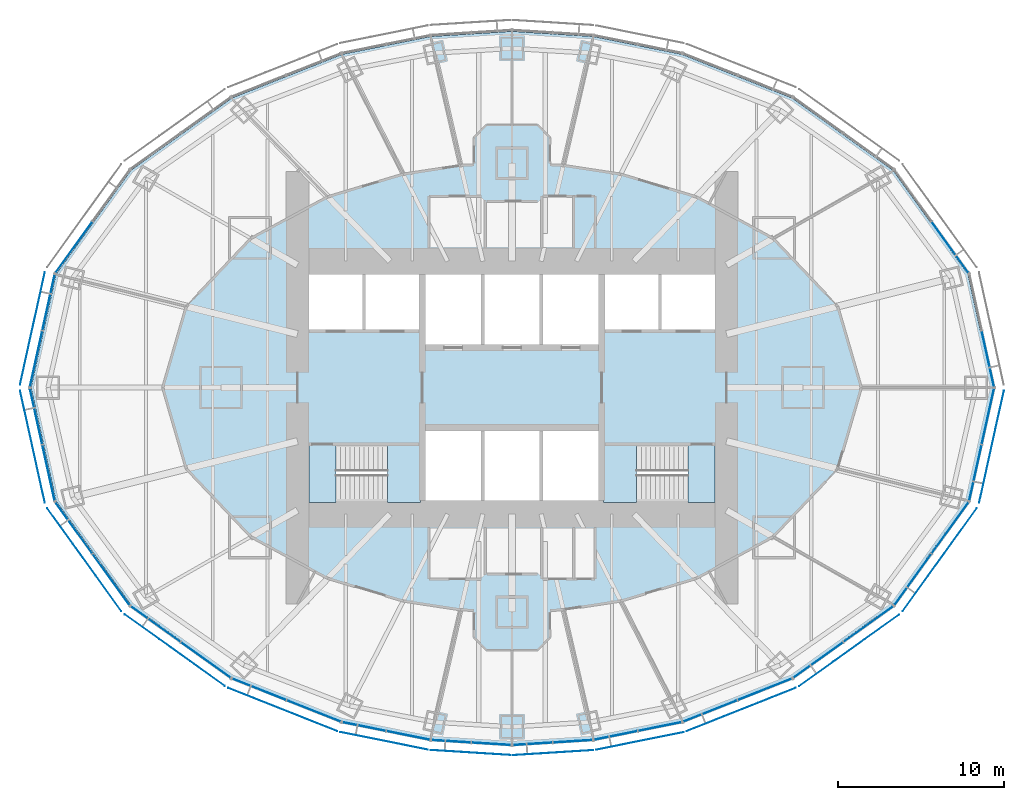
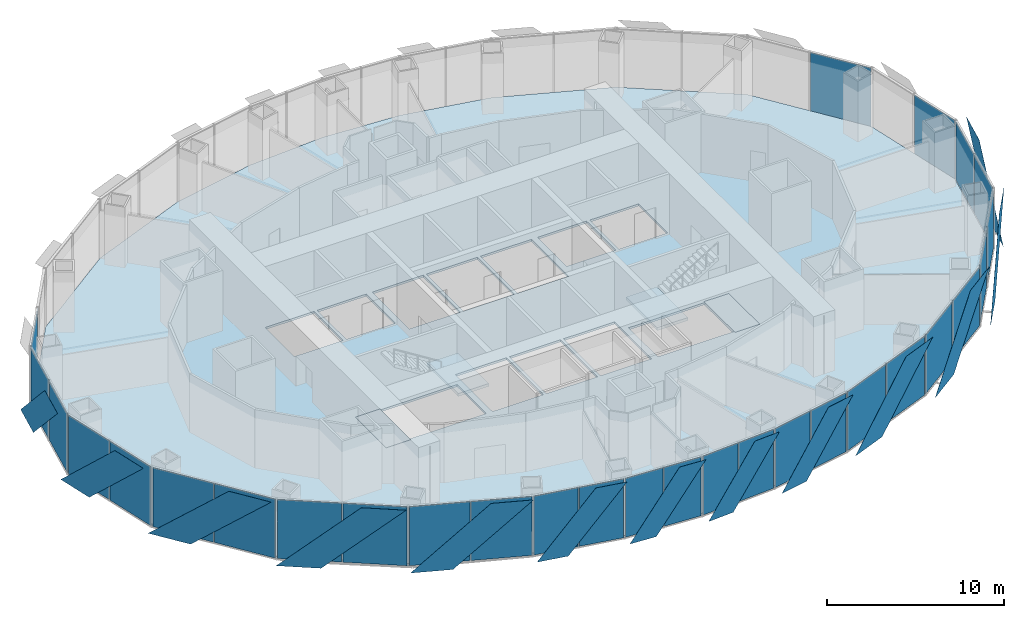
# One storey, part 9 of 18: 42 plates, 5 slabs, 18 elements without a shape of their own.
"""IFC4 building model written with IfcOpenShell, lengths in metres."""

from ifc_helpers import new_model, si_unit, direction, frame, origin, origin_2d, place, context, subcontext, project, spatial, polyline, rectangle, outline, extrude, material, layer, layer_set, type_object, element, aggregate, save


model = new_model("IFC4")

# Units and contexts
model_context = context("Model", 3, precision=1e-05, world=origin(), true_north=direction((0.0, 1.0)))
body_context = subcontext(model_context, "Body", "Model", "MODEL_VIEW")
ifc_project = project(units=[si_unit("LENGTHUNIT", "METRE"), si_unit("AREAUNIT", "SQUARE_METRE"), si_unit("VOLUMEUNIT", "CUBIC_METRE"), si_unit("PLANEANGLEUNIT", "RADIAN"), si_unit("MASSUNIT", "GRAM", prefix="KILO")], contexts=[model_context])

# Site, building, storey
site_placement = place(None, origin())
site = spatial("IfcSite", under=ifc_project, at=site_placement, CompositionType="ELEMENT")
building_placement = place(site_placement, origin())
building = spatial("IfcBuilding", under=site, at=building_placement, Name="Lantaw Convention Tower", CompositionType="ELEMENT")
storey_placement = place(building_placement, frame((0.0, 0.0, 142.60009765625)))
storey = spatial("IfcBuildingStorey", under=building, at=storey_placement, Name="L33", CompositionType="ELEMENT", Elevation=142.60009765625)

# Curtain wall, plate
ifc_material_1 = material(Name="Aluminium framed curtain wall", Category="aluminium")
curtain_wall_type = type_object("IfcCurtainWallType", Name="Office curtain wall low rise, pale aluminium", PredefinedType="USERDEFINED", material=ifc_material_1)
curtain_wall_1_placement = place(storey_placement, origin())
curtain_wall_1 = element("IfcCurtainWall", 1, at=curtain_wall_1_placement, inside=storey, type_object=curtain_wall_type, Name="Office curtain wall low rise, pale aluminium L33", ObjectType="UNITISED CURTAIN WALL", PredefinedType="USERDEFINED")
ifc_material_2 = material(Name="Clear insulating glass", Category="glass")
ifc_layer_1 = layer(ifc_material_2, 0.028076171875)
ifc_layer_set_1 = layer_set([ifc_layer_1], Name="CW-O1 panel 28")
plate_type_1 = type_object("IfcPlateType", Name="CW-O1 panel 28", PredefinedType="CURTAIN_PANEL", material=ifc_layer_set_1)
plate_1_placement = place(storey_placement, frame((28.618408203125, 1.729248046875, -0.0849609375), z_axis=(0.0, 0.0, 1.0), x_axis=(-0.215546166174, 0.9764936509, 0.0)))
plate_1 = element("IfcPlate", 2, at=plate_1_placement, type_object=plate_type_1, Name="CW-O1 panel 1.1", PredefinedType="CURTAIN_PANEL", context=body_context, shape_type="SweptSolid", body=[
    extrude(rectangle(XDim=3.41162109375, YDim=0.028076171875, at=origin_2d()), origin(), (0.0, 0.0, 1.0), 4.070068359375),
])
aggregate(curtain_wall_1, [plate_1])

curtain_wall_2_placement = place(storey_placement, origin())
curtain_wall_2 = element("IfcCurtainWall", 3, at=curtain_wall_2_placement, inside=storey, type_object=curtain_wall_type, Name="Office curtain wall low rise, pale aluminium L33", ObjectType="UNITISED CURTAIN WALL", PredefinedType="USERDEFINED")
plate_2_placement = place(storey_placement, frame((26.34814453125, 8.4345703125, -0.0849609375), z_axis=(0.0, 0.0, 1.0), x_axis=(-0.584512597221, 0.811384633629, 0.0)))
plate_2 = element("IfcPlate", 4, at=plate_2_placement, type_object=plate_type_1, Name="CW-O1 panel 1.1", PredefinedType="CURTAIN_PANEL", context=body_context, shape_type="SweptSolid", body=[
    extrude(rectangle(XDim=3.767333984375, YDim=0.028076171875, at=origin_2d()), origin(), (0.0, 0.0, 1.0), 4.070068359375),
])
aggregate(curtain_wall_2, [plate_2])

curtain_wall_3_placement = place(storey_placement, origin())
curtain_wall_3 = element("IfcCurtainWall", 5, at=curtain_wall_3_placement, inside=storey, type_object=curtain_wall_type, Name="Office curtain wall low rise, pale aluminium L33", ObjectType="UNITISED CURTAIN WALL", PredefinedType="USERDEFINED")
plate_3_placement = place(storey_placement, frame((-26.34814453125, 8.4345703125, -0.0849609375), z_axis=(0.0, 0.0, 1.0), x_axis=(-0.584512597221, -0.811384633629, 0.0)))
plate_3 = element("IfcPlate", 6, at=plate_3_placement, type_object=plate_type_1, Name="CW-O1 panel 2.1", PredefinedType="CURTAIN_PANEL", context=body_context, shape_type="SweptSolid", body=[
    extrude(rectangle(XDim=3.767333984375, YDim=0.028076171875, at=origin_2d()), origin(), (0.0, 0.0, 1.0), 4.070068359375),
])
aggregate(curtain_wall_3, [plate_3])

# Curtain wall, plates
curtain_wall_4_placement = place(storey_placement, origin())
curtain_wall_4 = element("IfcCurtainWall", 7, at=curtain_wall_4_placement, inside=storey, type_object=curtain_wall_type, Name="Office curtain wall low rise, pale aluminium L33", ObjectType="UNITISED CURTAIN WALL", PredefinedType="USERDEFINED")
plate_4_placement = place(storey_placement, frame((-27.868896484375, 5.1240234375, -0.0849609375), z_axis=(0.0, 0.0, 1.0), x_axis=(-0.215546166174, -0.9764936509, 0.0)))
plate_4 = element("IfcPlate", 8, at=plate_4_placement, type_object=plate_type_1, Name="CW-O1 panel 1.1", PredefinedType="CURTAIN_PANEL", context=body_context, shape_type="SweptSolid", body=[
    extrude(rectangle(XDim=3.41162109375, YDim=0.028076171875, at=origin_2d()), origin(), (0.0, 0.0, 1.0), 4.070068359375),
])
plate_5_placement = place(storey_placement, frame((-28.618408203125, 1.729248046875, -0.0849609375), z_axis=(0.0, 0.0, 1.0), x_axis=(-0.215546166174, -0.9764936509, 0.0)))
plate_5 = element("IfcPlate", 9, at=plate_5_placement, type_object=plate_type_1, Name="CW-O1 panel 2.1", PredefinedType="CURTAIN_PANEL", context=body_context, shape_type="SweptSolid", body=[
    extrude(rectangle(XDim=3.41162109375, YDim=0.028076171875, at=origin_2d()), origin(), (0.0, 0.0, 1.0), 4.070068359375),
])
aggregate(curtain_wall_4, [plate_4, plate_5])

curtain_wall_5_placement = place(storey_placement, origin())
curtain_wall_5 = element("IfcCurtainWall", 10, at=curtain_wall_5_placement, inside=storey, type_object=curtain_wall_type, Name="Office curtain wall low rise, pale aluminium L33", ObjectType="UNITISED CURTAIN WALL", PredefinedType="USERDEFINED")
plate_6_placement = place(storey_placement, frame((-28.618408203125, -1.729248046875, -0.0849609375), z_axis=(0.0, 0.0, 1.0), x_axis=(0.215546166174, -0.9764936509, 0.0)))
plate_6 = element("IfcPlate", 11, at=plate_6_placement, type_object=plate_type_1, Name="CW-O1 panel 1.1", PredefinedType="CURTAIN_PANEL", context=body_context, shape_type="SweptSolid", body=[
    extrude(rectangle(XDim=3.41162109375, YDim=0.028076171875, at=origin_2d()), origin(), (0.0, 0.0, 1.0), 4.070068359375),
])
plate_7_placement = place(storey_placement, frame((-27.868896484375, -5.1240234375, -0.0849609375), z_axis=(0.0, 0.0, 1.0), x_axis=(0.215546166174, -0.9764936509, 0.0)))
plate_7 = element("IfcPlate", 12, at=plate_7_placement, type_object=plate_type_1, Name="CW-O1 panel 2.1", PredefinedType="CURTAIN_PANEL", context=body_context, shape_type="SweptSolid", body=[
    extrude(rectangle(XDim=3.41162109375, YDim=0.028076171875, at=origin_2d()), origin(), (0.0, 0.0, 1.0), 4.070068359375),
])
aggregate(curtain_wall_5, [plate_6, plate_7])

curtain_wall_6_placement = place(storey_placement, origin())
curtain_wall_6 = element("IfcCurtainWall", 13, at=curtain_wall_6_placement, inside=storey, type_object=curtain_wall_type, Name="Office curtain wall low rise, pale aluminium L33", ObjectType="UNITISED CURTAIN WALL", PredefinedType="USERDEFINED")
plate_8_placement = place(storey_placement, frame((-26.34814453125, -8.4345703125, -0.0849609375), z_axis=(0.0, 0.0, 1.0), x_axis=(0.584512597221, -0.811384633629, 0.0)))
plate_8 = element("IfcPlate", 14, at=plate_8_placement, type_object=plate_type_1, Name="CW-O1 panel 1.1", PredefinedType="CURTAIN_PANEL", context=body_context, shape_type="SweptSolid", body=[
    extrude(rectangle(XDim=3.767333984375, YDim=0.028076171875, at=origin_2d()), origin(), (0.0, 0.0, 1.0), 4.070068359375),
])
plate_9_placement = place(storey_placement, frame((-24.108154296875, -11.5439453125, -0.0849609375), z_axis=(0.0, 0.0, 1.0), x_axis=(0.584512597221, -0.811384633629, 0.0)))
plate_9 = element("IfcPlate", 15, at=plate_9_placement, type_object=plate_type_1, Name="CW-O1 panel 2.1", PredefinedType="CURTAIN_PANEL", context=body_context, shape_type="SweptSolid", body=[
    extrude(rectangle(XDim=3.767333984375, YDim=0.028076171875, at=origin_2d()), origin(), (0.0, 0.0, 1.0), 4.070068359375),
])
aggregate(curtain_wall_6, [plate_8, plate_9])

curtain_wall_7_placement = place(storey_placement, origin())
curtain_wall_7 = element("IfcCurtainWall", 16, at=curtain_wall_7_placement, inside=storey, type_object=curtain_wall_type, Name="Office curtain wall low rise, pale aluminium L33", ObjectType="UNITISED CURTAIN WALL", PredefinedType="USERDEFINED")
plate_10_placement = place(storey_placement, frame((-21.43408203125, -14.2236328125, -0.0849609375), z_axis=(0.0, 0.0, 1.0), x_axis=(0.813208325995, -0.581972695693, 0.0)))
plate_10 = element("IfcPlate", 17, at=plate_10_placement, type_object=plate_type_1, Name="CW-O1 panel 1.1", PredefinedType="CURTAIN_PANEL", context=body_context, shape_type="SweptSolid", body=[
    extrude(rectangle(XDim=3.645263671875, YDim=0.028076171875, at=origin_2d()), origin(), (0.0, 0.0, 1.0), 4.070068359375),
])
plate_11_placement = place(storey_placement, frame((-18.416748046875, -16.383056640625, -0.0849609375), z_axis=(0.0, 0.0, 1.0), x_axis=(0.813208325995, -0.581972695693, 0.0)))
plate_11 = element("IfcPlate", 18, at=plate_11_placement, type_object=plate_type_1, Name="CW-O1 panel 2.1", PredefinedType="CURTAIN_PANEL", context=body_context, shape_type="SweptSolid", body=[
    extrude(rectangle(XDim=3.645263671875, YDim=0.028076171875, at=origin_2d()), origin(), (0.0, 0.0, 1.0), 4.070068359375),
])
aggregate(curtain_wall_7, [plate_10, plate_11])

curtain_wall_8_placement = place(storey_placement, origin())
curtain_wall_8 = element("IfcCurtainWall", 19, at=curtain_wall_8_placement, inside=storey, type_object=curtain_wall_type, Name="Office curtain wall low rise, pale aluminium L33", ObjectType="UNITISED CURTAIN WALL", PredefinedType="USERDEFINED")
plate_12_placement = place(storey_placement, frame((-15.208251953125, -18.145263671875, -0.0849609375), z_axis=(0.0, 0.0, 1.0), x_axis=(0.929547687544, -0.368701907483, 0.0)))
plate_12 = element("IfcPlate", 20, at=plate_12_placement, type_object=plate_type_1, Name="CW-O1 panel 1.1", PredefinedType="CURTAIN_PANEL", context=body_context, shape_type="SweptSolid", body=[
    extrude(rectangle(XDim=3.470703125, YDim=0.028076171875, at=origin_2d()), origin(), (0.0, 0.0, 1.0), 4.070068359375),
])
plate_13_placement = place(storey_placement, frame((-11.921630859375, -19.448974609375, -0.0849609375), z_axis=(0.0, 0.0, 1.0), x_axis=(0.929547687544, -0.368701907483, 0.0)))
plate_13 = element("IfcPlate", 21, at=plate_13_placement, type_object=plate_type_1, Name="CW-O1 panel 2.1", PredefinedType="CURTAIN_PANEL", context=body_context, shape_type="SweptSolid", body=[
    extrude(rectangle(XDim=3.470703125, YDim=0.028076171875, at=origin_2d()), origin(), (0.0, 0.0, 1.0), 4.070068359375),
])
aggregate(curtain_wall_8, [plate_12, plate_13])

curtain_wall_9_placement = place(storey_placement, origin())
curtain_wall_9 = element("IfcCurtainWall", 22, at=curtain_wall_9_placement, inside=storey, type_object=curtain_wall_type, Name="Office curtain wall low rise, pale aluminium L33", ObjectType="UNITISED CURTAIN WALL", PredefinedType="USERDEFINED")
plate_14_placement = place(storey_placement, frame((-8.893310546875, -20.3857421875, -0.0849609375), z_axis=(0.0, 0.0, 1.0), x_axis=(0.980301514912, -0.197506809659, 0.0)))
plate_14 = element("IfcPlate", 23, at=plate_14_placement, type_object=plate_type_1, Name="CW-O1 panel 1.1", PredefinedType="CURTAIN_PANEL", context=body_context, shape_type="SweptSolid", body=[
    extrude(rectangle(XDim=2.634033203125, YDim=0.028076171875, at=origin_2d()), origin(), (0.0, 0.0, 1.0), 4.070068359375),
])
plate_15_placement = place(storey_placement, frame((-6.247314453125, -20.9189453125, -0.0849609375), z_axis=(0.0, 0.0, 1.0), x_axis=(0.980301514912, -0.197506809659, 0.0)))
plate_15 = element("IfcPlate", 24, at=plate_15_placement, type_object=plate_type_1, Name="CW-O1 panel 2.1", PredefinedType="CURTAIN_PANEL", context=body_context, shape_type="SweptSolid", body=[
    extrude(rectangle(XDim=2.634033203125, YDim=0.028076171875, at=origin_2d()), origin(), (0.0, 0.0, 1.0), 4.070068359375),
])
aggregate(curtain_wall_9, [plate_14, plate_15])

curtain_wall_10_placement = place(storey_placement, origin())
curtain_wall_10 = element("IfcCurtainWall", 25, at=curtain_wall_10_placement, inside=storey, type_object=curtain_wall_type, Name="Office curtain wall low rise, pale aluminium L33", ObjectType="UNITISED CURTAIN WALL", PredefinedType="USERDEFINED")
plate_16_placement = place(storey_placement, frame((-3.653076171875, -21.269775390625, -0.0849609375), z_axis=(0.0, 0.0, 1.0), x_axis=(0.998022035978, -0.062865059466, 0.0)))
plate_16 = element("IfcPlate", 26, at=plate_16_placement, type_object=plate_type_1, Name="CW-O1 panel 1.1", PredefinedType="CURTAIN_PANEL", context=body_context, shape_type="SweptSolid", body=[
    extrude(rectangle(XDim=2.353515625, YDim=0.028076171875, at=origin_2d()), origin(), (0.0, 0.0, 1.0), 4.070068359375),
])
plate_17_placement = place(storey_placement, frame((-1.2392578125, -21.421875, -0.0849609375), z_axis=(0.0, 0.0, 1.0), x_axis=(0.998022035978, -0.062865059466, 0.0)))
plate_17 = element("IfcPlate", 27, at=plate_17_placement, type_object=plate_type_1, Name="CW-O1 panel 2.1", PredefinedType="CURTAIN_PANEL", context=body_context, shape_type="SweptSolid", body=[
    extrude(rectangle(XDim=2.353515625, YDim=0.028076171875, at=origin_2d()), origin(), (0.0, 0.0, 1.0), 4.070068359375),
])
aggregate(curtain_wall_10, [plate_16, plate_17])

curtain_wall_11_placement = place(storey_placement, origin())
curtain_wall_11 = element("IfcCurtainWall", 28, at=curtain_wall_11_placement, inside=storey, type_object=curtain_wall_type, Name="Office curtain wall low rise, pale aluminium L33", ObjectType="UNITISED CURTAIN WALL", PredefinedType="USERDEFINED")
plate_18_placement = place(storey_placement, frame((1.2392578125, -21.421875, -0.0849609375), z_axis=(0.0, 0.0, 1.0), x_axis=(0.998022035978, 0.062865059466, 0.0)))
plate_18 = element("IfcPlate", 29, at=plate_18_placement, type_object=plate_type_1, Name="CW-O1 panel 1.1", PredefinedType="CURTAIN_PANEL", context=body_context, shape_type="SweptSolid", body=[
    extrude(rectangle(XDim=2.353515625, YDim=0.028076171875, at=origin_2d()), origin(), (0.0, 0.0, 1.0), 4.070068359375),
])
plate_19_placement = place(storey_placement, frame((3.653076171875, -21.269775390625, -0.0849609375), z_axis=(0.0, 0.0, 1.0), x_axis=(0.998022035978, 0.062865059466, 0.0)))
plate_19 = element("IfcPlate", 30, at=plate_19_placement, type_object=plate_type_1, Name="CW-O1 panel 2.1", PredefinedType="CURTAIN_PANEL", context=body_context, shape_type="SweptSolid", body=[
    extrude(rectangle(XDim=2.353515625, YDim=0.028076171875, at=origin_2d()), origin(), (0.0, 0.0, 1.0), 4.070068359375),
])
aggregate(curtain_wall_11, [plate_18, plate_19])

curtain_wall_12_placement = place(storey_placement, origin())
curtain_wall_12 = element("IfcCurtainWall", 31, at=curtain_wall_12_placement, inside=storey, type_object=curtain_wall_type, Name="Office curtain wall low rise, pale aluminium L33", ObjectType="UNITISED CURTAIN WALL", PredefinedType="USERDEFINED")
plate_20_placement = place(storey_placement, frame((6.247314453125, -20.9189453125, -0.0849609375), z_axis=(0.0, 0.0, 1.0), x_axis=(0.980301514912, 0.197506809659, 0.0)))
plate_20 = element("IfcPlate", 32, at=plate_20_placement, type_object=plate_type_1, Name="CW-O1 panel 1.1", PredefinedType="CURTAIN_PANEL", context=body_context, shape_type="SweptSolid", body=[
    extrude(rectangle(XDim=2.634033203125, YDim=0.028076171875, at=origin_2d()), origin(), (0.0, 0.0, 1.0), 4.070068359375),
])
plate_21_placement = place(storey_placement, frame((8.893310546875, -20.3857421875, -0.0849609375), z_axis=(0.0, 0.0, 1.0), x_axis=(0.980301514912, 0.197506809659, 0.0)))
plate_21 = element("IfcPlate", 33, at=plate_21_placement, type_object=plate_type_1, Name="CW-O1 panel 2.1", PredefinedType="CURTAIN_PANEL", context=body_context, shape_type="SweptSolid", body=[
    extrude(rectangle(XDim=2.634033203125, YDim=0.028076171875, at=origin_2d()), origin(), (0.0, 0.0, 1.0), 4.070068359375),
])
aggregate(curtain_wall_12, [plate_20, plate_21])

curtain_wall_13_placement = place(storey_placement, origin())
curtain_wall_13 = element("IfcCurtainWall", 34, at=curtain_wall_13_placement, inside=storey, type_object=curtain_wall_type, Name="Office curtain wall low rise, pale aluminium L33", ObjectType="UNITISED CURTAIN WALL", PredefinedType="USERDEFINED")
plate_22_placement = place(storey_placement, frame((11.921630859375, -19.448974609375, -0.0849609375), z_axis=(0.0, 0.0, 1.0), x_axis=(0.929547687544, 0.368701907483, 0.0)))
plate_22 = element("IfcPlate", 35, at=plate_22_placement, type_object=plate_type_1, Name="CW-O1 panel 1.1", PredefinedType="CURTAIN_PANEL", context=body_context, shape_type="SweptSolid", body=[
    extrude(rectangle(XDim=3.470703125, YDim=0.028076171875, at=origin_2d()), origin(), (0.0, 0.0, 1.0), 4.070068359375),
])
plate_23_placement = place(storey_placement, frame((15.208251953125, -18.145263671875, -0.0849609375), z_axis=(0.0, 0.0, 1.0), x_axis=(0.929547687544, 0.368701907483, 0.0)))
plate_23 = element("IfcPlate", 36, at=plate_23_placement, type_object=plate_type_1, Name="CW-O1 panel 2.1", PredefinedType="CURTAIN_PANEL", context=body_context, shape_type="SweptSolid", body=[
    extrude(rectangle(XDim=3.470703125, YDim=0.028076171875, at=origin_2d()), origin(), (0.0, 0.0, 1.0), 4.070068359375),
])
aggregate(curtain_wall_13, [plate_22, plate_23])

curtain_wall_14_placement = place(storey_placement, origin())
curtain_wall_14 = element("IfcCurtainWall", 37, at=curtain_wall_14_placement, inside=storey, type_object=curtain_wall_type, Name="Office curtain wall low rise, pale aluminium L33", ObjectType="UNITISED CURTAIN WALL", PredefinedType="USERDEFINED")
plate_24_placement = place(storey_placement, frame((18.416748046875, -16.383056640625, -0.0849609375), z_axis=(0.0, 0.0, 1.0), x_axis=(0.813208325995, 0.581972695693, 0.0)))
plate_24 = element("IfcPlate", 38, at=plate_24_placement, type_object=plate_type_1, Name="CW-O1 panel 1.1", PredefinedType="CURTAIN_PANEL", context=body_context, shape_type="SweptSolid", body=[
    extrude(rectangle(XDim=3.645263671875, YDim=0.028076171875, at=origin_2d()), origin(), (0.0, 0.0, 1.0), 4.070068359375),
])
plate_25_placement = place(storey_placement, frame((21.43408203125, -14.2236328125, -0.0849609375), z_axis=(0.0, 0.0, 1.0), x_axis=(0.813208325995, 0.581972695693, 0.0)))
plate_25 = element("IfcPlate", 39, at=plate_25_placement, type_object=plate_type_1, Name="CW-O1 panel 2.1", PredefinedType="CURTAIN_PANEL", context=body_context, shape_type="SweptSolid", body=[
    extrude(rectangle(XDim=3.645263671875, YDim=0.028076171875, at=origin_2d()), origin(), (0.0, 0.0, 1.0), 4.070068359375),
])
aggregate(curtain_wall_14, [plate_24, plate_25])

curtain_wall_15_placement = place(storey_placement, origin())
curtain_wall_15 = element("IfcCurtainWall", 40, at=curtain_wall_15_placement, inside=storey, type_object=curtain_wall_type, Name="Office curtain wall low rise, pale aluminium L33", ObjectType="UNITISED CURTAIN WALL", PredefinedType="USERDEFINED")
plate_26_placement = place(storey_placement, frame((24.108154296875, -11.5439453125, -0.0849609375), z_axis=(0.0, 0.0, 1.0), x_axis=(0.584512597221, 0.811384633629, 0.0)))
plate_26 = element("IfcPlate", 41, at=plate_26_placement, type_object=plate_type_1, Name="CW-O1 panel 1.1", PredefinedType="CURTAIN_PANEL", context=body_context, shape_type="SweptSolid", body=[
    extrude(rectangle(XDim=3.767333984375, YDim=0.028076171875, at=origin_2d()), origin(), (0.0, 0.0, 1.0), 4.070068359375),
])
plate_27_placement = place(storey_placement, frame((26.34814453125, -8.4345703125, -0.0849609375), z_axis=(0.0, 0.0, 1.0), x_axis=(0.584512597221, 0.811384633629, 0.0)))
plate_27 = element("IfcPlate", 42, at=plate_27_placement, type_object=plate_type_1, Name="CW-O1 panel 2.1", PredefinedType="CURTAIN_PANEL", context=body_context, shape_type="SweptSolid", body=[
    extrude(rectangle(XDim=3.767333984375, YDim=0.028076171875, at=origin_2d()), origin(), (0.0, 0.0, 1.0), 4.070068359375),
])
aggregate(curtain_wall_15, [plate_26, plate_27])

curtain_wall_16_placement = place(storey_placement, origin())
curtain_wall_16 = element("IfcCurtainWall", 43, at=curtain_wall_16_placement, inside=storey, type_object=curtain_wall_type, Name="Office curtain wall low rise, pale aluminium L33", ObjectType="UNITISED CURTAIN WALL", PredefinedType="USERDEFINED")
plate_28_placement = place(storey_placement, frame((27.868896484375, -5.1240234375, -0.0849609375), z_axis=(0.0, 0.0, 1.0), x_axis=(0.215546166174, 0.9764936509, 0.0)))
plate_28 = element("IfcPlate", 44, at=plate_28_placement, type_object=plate_type_1, Name="CW-O1 panel 1.1", PredefinedType="CURTAIN_PANEL", context=body_context, shape_type="SweptSolid", body=[
    extrude(rectangle(XDim=3.41162109375, YDim=0.028076171875, at=origin_2d()), origin(), (0.0, 0.0, 1.0), 4.070068359375),
])
plate_29_placement = place(storey_placement, frame((28.618408203125, -1.729248046875, -0.0849609375), z_axis=(0.0, 0.0, 1.0), x_axis=(0.215546166174, 0.9764936509, 0.0)))
plate_29 = element("IfcPlate", 45, at=plate_29_placement, type_object=plate_type_1, Name="CW-O1 panel 2.1", PredefinedType="CURTAIN_PANEL", context=body_context, shape_type="SweptSolid", body=[
    extrude(rectangle(XDim=3.41162109375, YDim=0.028076171875, at=origin_2d()), origin(), (0.0, 0.0, 1.0), 4.070068359375),
])
aggregate(curtain_wall_16, [plate_28, plate_29])

# Slab
ifc_material_3 = material(Name="Concrete C35/45", Category="concrete")
ifc_layer_2 = layer(ifc_material_3, 0.14990234375)
ifc_layer_set_2 = layer_set([ifc_layer_2], Name="Floor slab 150")
slab_type_1 = type_object("IfcSlabType", Name="Floor slab 150", PredefinedType="FLOOR", material=ifc_layer_set_2)
slab_1_placement = place(storey_placement, frame((0.0, 0.0, -0.150146484375)))
element("IfcSlab", 46, at=slab_1_placement, inside=storey, type_object=slab_type_1, Name="L33 floor slab", PredefinedType="FLOOR", context=body_context, shape_type="SweptSolid", body=[
    extrude(outline(polyline([(27.417236328125, -6.822021484375), (28.923095703125, 0.0), (27.417236328125, 6.822021484375), (22.915283203125, 13.0712890625), (16.845458984375, 17.415283203125), (10.2265625, 20.04052734375), (4.8828125, 21.1171875), (0.0, 21.4248046875), (-4.8828125, 21.1171875), (-10.2265625, 20.04052734375), (-16.845458984375, 17.415283203125), (-22.915283203125, 13.0712890625), (-27.417236328125, 6.822021484375), (-28.923095703125, 0.0), (-27.417236328125, -6.822021484375), (-22.915283203125, -13.0712890625), (-16.845458984375, -17.415283203125), (-10.2265625, -20.04052734375), (-4.8828125, -21.1171875), (0.0, -21.4248046875), (4.8828125, -21.1171875), (10.2265625, -20.04052734375), (16.845458984375, -17.415283203125), (22.915283203125, -13.0712890625), (27.417236328125, -6.822021484375)]), holes=[polyline([(-5.60009765625, -3.5), (-12.199951171875, -3.5), (-12.199951171875, -6.800048828125), (-5.60009765625, -6.800048828125), (-5.60009765625, -3.5)]), polyline([(-1.86669921875, -6.800048828125), (-1.86669921875, -2.60009765625), (-5.199951171875, -2.60009765625), (-5.199951171875, -6.800048828125), (-1.86669921875, -6.800048828125)]), polyline([(-1.86669921875, 2.60009765625), (-1.86669921875, 6.800048828125), (-5.199951171875, 6.800048828125), (-5.199951171875, 2.60009765625), (-1.86669921875, 2.60009765625)]), polyline([(1.666748046875, 6.800048828125), (-1.666748046875, 6.800048828125), (-1.666748046875, 2.60009765625), (1.666748046875, 2.60009765625), (1.666748046875, 6.800048828125)]), polyline([(-9.0, 3.5), (-9.0, 6.800048828125), (-12.199951171875, 6.800048828125), (-12.199951171875, 3.5), (-9.0, 3.5)]), polyline([(-5.60009765625, 3.5), (-5.60009765625, 6.800048828125), (-8.800048828125, 6.800048828125), (-8.800048828125, 3.5), (-5.60009765625, 3.5)]), polyline([(12.199951171875, -3.5), (5.60009765625, -3.5), (5.60009765625, -6.800048828125), (12.199951171875, -6.800048828125), (12.199951171875, -3.5)]), polyline([(1.666748046875, -6.800048828125), (1.666748046875, -2.60009765625), (-1.666748046875, -2.60009765625), (-1.666748046875, -6.800048828125), (1.666748046875, -6.800048828125)]), polyline([(5.199951171875, -6.800048828125), (5.199951171875, -2.60009765625), (1.86669921875, -2.60009765625), (1.86669921875, -6.800048828125), (5.199951171875, -6.800048828125)]), polyline([(5.199951171875, 6.800048828125), (1.86669921875, 6.800048828125), (1.86669921875, 2.60009765625), (5.199951171875, 2.60009765625), (5.199951171875, 6.800048828125)]), polyline([(8.800048828125, 3.5), (8.800048828125, 6.800048828125), (5.60009765625, 6.800048828125), (5.60009765625, 3.5), (8.800048828125, 3.5)]), polyline([(12.199951171875, 3.5), (12.199951171875, 6.800048828125), (9.0, 6.800048828125), (9.0, 3.5), (12.199951171875, 3.5)])]), origin(), (0.0, 0.0, 1.0), 0.150146484375),
])

# Plates
ifc_material_4 = material(Name="Perforated aluminium sheet, pale silver finish", Category="aluminium")
ifc_layer_3 = layer(ifc_material_4, 0.006103515625)
ifc_layer_set_3 = layer_set([ifc_layer_3], Name="Perforated aluminium solar SCREEN panel")
plate_type_2 = type_object("IfcPlateType", Name="Perforated aluminium solar SCREEN panel", PredefinedType="SHEET", material=ifc_layer_set_3)
plate_30_placement = place(storey_placement, frame((-28.08984375, 6.93505859375, -0.175048828125), z_axis=(0.976497812463, -0.215527309509, 3.3329045e-05), x_axis=(-0.215527309629, -0.976497813005, -1.665e-09)))
element("IfcPlate", 47, at=plate_30_placement, inside=storey, type_object=plate_type_2, Name="Solar SCREEN panel", PredefinedType="SHEET", context=body_context, shape_type="SweptSolid", body=[
    extrude(outline(polyline([(0.0, 0.0), (2.386131748388921, -3.3881317890172014e-21), (6.918240176095255, -4.339843763929156), (4.532055808734257, -4.33984375598333), (0.0, 0.0)])), origin(), (0.0, 0.0, -1.0), 0.006103515625),
])
plate_31_placement = place(storey_placement, frame((-29.5810546875, -0.179443359375, -0.175048828125), z_axis=(-0.976497812463, -0.215527309509, 3.3329045e-05), x_axis=(0.215527309629, -0.976497813005, 1.665e-09)))
element("IfcPlate", 48, at=plate_31_placement, inside=storey, type_object=plate_type_2, Name="Solar SCREEN panel", PredefinedType="SHEET", context=body_context, shape_type="SweptSolid", body=[
    extrude(outline(polyline([(0.0, 0.0), (2.3861843673609986, 0.0), (6.918240190546627, 4.339843740891906), (4.532108442157707, 4.339843748837556), (0.0, 0.0)])), origin(), (0.0, 0.0, -1.0), 0.006103515625),
])
plate_32_placement = place(storey_placement, frame((-27.94970703125, -7.248046875, -0.175048828125), z_axis=(-0.81139512159, -0.584498037099, 3.5888803e-05), x_axis=(0.584498037475, -0.811395122112, -9.74e-10)))
element("IfcPlate", 49, at=plate_32_placement, inside=storey, type_object=plate_type_2, Name="Solar SCREEN panel", PredefinedType="SHEET", context=body_context, shape_type="SweptSolid", body=[
    extrude(outline(polyline([(0.0, 0.0), (2.628222178575422, -6.776263578034403e-21), (7.629778257969264, 4.339843760228519), (5.001754173906077, 4.339843755107391), (0.0, 0.0)])), origin(), (0.0, 0.0, -1.0), 0.006103515625),
])
plate_33_placement = place(storey_placement, frame((-23.281005859375, -13.64697265625, -0.175048828125), z_axis=(-0.582000183937, -0.813188653244, 1.1537794e-05), x_axis=(0.813188653298, -0.582000183975, 0.0)))
element("IfcPlate", 50, at=plate_33_placement, inside=storey, type_object=plate_type_2, Name="Solar SCREEN panel", PredefinedType="SHEET", context=body_context, shape_type="SweptSolid", body=[
    extrude(outline(polyline([(0.0, 0.0), (2.5450183911586484, 1.6940658945086007e-21), (7.385531276904658, 4.339843750288861), (4.840512885746009, 4.339843750288861), (0.0, 0.0)])), origin(), (0.0, 0.0, -1.0), 0.006103515625),
])
plate_34_placement = place(storey_placement, frame((-17.05859375, -18.063232421875, -0.175048828125), z_axis=(0.368708915367, 0.929544907797, 1.0867661e-05), x_axis=(0.929544907851, -0.368708915389, 7.1e-10)))
element("IfcPlate", 51, at=plate_34_placement, inside=storey, type_object=plate_type_2, Name="Solar SCREEN panel", PredefinedType="SHEET", context=body_context, shape_type="SweptSolid", body=[
    extrude(outline(polyline([(0.0, 0.0), (2.4263803793049097, 0.0), (7.036549629566982, -4.339843745261612), (4.61003232741235, -4.339843748706285), (0.0, 0.0)])), origin(), (0.0, 0.0, -1.0), 0.006103515625),
])
plate_35_placement = place(storey_placement, frame((-10.318603515625, -20.716796875, -0.175048828125), z_axis=(-0.197556725442, -0.980291455983, 3.9485719e-05), x_axis=(0.980291456747, -0.197556725596, 0.0)))
element("IfcPlate", 52, at=plate_35_placement, inside=storey, type_object=plate_type_2, Name="Solar SCREEN panel", PredefinedType="SHEET", context=body_context, shape_type="SweptSolid", body=[
    extrude(outline(polyline([(0.0, 0.0), (1.8574075788555457, 1.6940658945086007e-21), (5.362987026845185, 4.339843753383173), (3.505579447989639, 4.339843753383173), (0.0, 0.0)])), origin(), (0.0, 0.0, -1.0), 0.006103515625),
])
plate_36_placement = place(storey_placement, frame((-4.880615234375, -21.7998046875, -0.175048828125), z_axis=(-0.062838799866, -0.998023689713, 1.755158e-06), x_axis=(0.998023689715, -0.062838799866, -8e-12)))
element("IfcPlate", 53, at=plate_36_placement, inside=storey, type_object=plate_type_2, Name="Solar SCREEN panel", PredefinedType="SHEET", context=body_context, shape_type="SweptSolid", body=[
    extrude(outline(polyline([(0.0, 0.0), (1.6666243269452135, 2.6469779601696886e-23), (4.802214797186689, 4.339843750045478), (3.135346812114104, 4.33984375001855), (0.0, 0.0)])), origin(), (0.0, 0.0, -1.0), 0.006103515625),
])
plate_37_placement = place(storey_placement, frame((0.087890625, -22.1015625, -0.175048828125), z_axis=(-0.062838799866, 0.998023689713, 1.755158e-06), x_axis=(0.998023689715, 0.062838799866, 8e-12)))
element("IfcPlate", 54, at=plate_37_placement, inside=storey, type_object=plate_type_2, Name="Solar SCREEN panel", PredefinedType="SHEET", context=body_context, shape_type="SweptSolid", body=[
    extrude(outline(polyline([(0.0, 0.0), (1.6668679850725854, -5.293955920339377e-23), (4.802214797256801, -4.339843749967897), (3.1355904703115876, -4.339843749994822), (0.0, 0.0)])), origin(), (0.0, 0.0, -1.0), 0.006103515625),
])
plate_38_placement = place(storey_placement, frame((5.061279296875, -21.776123046875, -0.175048828125), z_axis=(-0.197556725442, 0.980291455983, 3.9485719e-05), x_axis=(0.980291456747, 0.197556725596, 0.0)))
element("IfcPlate", 55, at=plate_38_placement, inside=storey, type_object=plate_type_2, Name="Solar SCREEN panel", PredefinedType="SHEET", context=body_context, shape_type="SweptSolid", body=[
    extrude(outline(polyline([(0.0, 0.0), (1.8574075788555457, -1.6940658945086007e-21), (5.362987026845185, -4.339843753383173), (3.505579447989639, -4.339843753383173), (0.0, 0.0)])), origin(), (0.0, 0.0, -1.0), 0.006103515625),
])
plate_39_placement = place(storey_placement, frame((10.517822265625, -20.65771484375, -0.175048828125), z_axis=(0.368708915367, -0.929544907797, 1.0867661e-05), x_axis=(0.929544907851, 0.368708915389, -7.1e-10)))
element("IfcPlate", 56, at=plate_39_placement, inside=storey, type_object=plate_type_2, Name="Solar SCREEN panel", PredefinedType="SHEET", context=body_context, shape_type="SweptSolid", body=[
    extrude(outline(polyline([(0.0, 0.0), (2.426517302154632, 1.6940658945086007e-21), (7.036549623406159, 4.339843755250667), (4.610169244101249, 4.339843751806188), (0.0, 0.0)])), origin(), (0.0, 0.0, -1.0), 0.006103515625),
])
plate_40_placement = place(storey_placement, frame((17.275146484375, -17.9453125, -0.175048828125), z_axis=(-0.582000183937, 0.813188653244, 1.1537794e-05), x_axis=(0.813188653298, 0.582000183975, 0.0)))
element("IfcPlate", 57, at=plate_40_placement, inside=storey, type_object=plate_type_2, Name="Solar SCREEN panel", PredefinedType="SHEET", context=body_context, shape_type="SweptSolid", body=[
    extrude(outline(polyline([(0.0, 0.0), (2.5450183911586484, -1.6940658945086007e-21), (7.385531276904658, -4.339843750288861), (4.840512885746009, -4.339843750288861), (0.0, 0.0)])), origin(), (0.0, 0.0, -1.0), 0.006103515625),
])
plate_41_placement = place(storey_placement, frame((23.489990234375, -13.438720703125, -0.175048828125), z_axis=(-0.81139512159, 0.584498037099, 3.5888803e-05), x_axis=(0.584498037475, 0.811395122112, 9.74e-10)))
element("IfcPlate", 58, at=plate_41_placement, inside=storey, type_object=plate_type_2, Name="Solar SCREEN panel", PredefinedType="SHEET", context=body_context, shape_type="SweptSolid", body=[
    extrude(outline(polyline([(0.0, 0.0), (2.6280240840631874, 6.776263578034403e-21), (7.62977826642615, -4.339843745360666), (5.001556087850728, -4.3398437504821805), (0.0, 0.0)])), origin(), (0.0, 0.0, -1.0), 0.006103515625),
])
plate_42_placement = place(storey_placement, frame((28.08984375, -6.93505859375, -0.175048828125), z_axis=(-0.976497812463, 0.215527309509, 3.3329045e-05), x_axis=(0.215527309629, 0.976497813005, -1.665e-09)))
element("IfcPlate", 59, at=plate_42_placement, inside=storey, type_object=plate_type_2, Name="Solar SCREEN panel", PredefinedType="SHEET", context=body_context, shape_type="SweptSolid", body=[
    extrude(outline(polyline([(0.0, 0.0), (2.386131748388921, -3.3881317890172014e-21), (6.918240176095255, -4.339843763929156), (4.532055808734257, -4.33984375598333), (0.0, 0.0)])), origin(), (0.0, 0.0, -1.0), 0.006103515625),
])

# Stair, slabs
stair_type = type_object("IfcStairType", Name="Exit stair 1500 riser 175 in 2 flights", PredefinedType="HALF_TURN_STAIR", material=ifc_material_3)
stair_1_placement = place(storey_placement, origin())
stair_1 = element("IfcStair", 60, at=stair_1_placement, inside=storey, type_object=stair_type, Name="Exit stair S1 L33", PredefinedType="HALF_TURN_STAIR")
ifc_layer_4 = layer(ifc_material_3, 0.199951171875)
ifc_layer_set_4 = layer_set([ifc_layer_4], Name="Stair landing 200")
slab_type_2 = type_object("IfcSlabType", Name="Stair landing 200", PredefinedType="LANDING", material=ifc_layer_set_4)
slab_2_placement = place(storey_placement, frame((0.0, 0.0, -0.2001953125)))
slab_2 = element("IfcSlab", 61, at=slab_2_placement, type_object=slab_type_2, Name="S1 landing 1", PredefinedType="LANDING", context=body_context, shape_type="SweptSolid", body=[
    extrude(outline(polyline([(-12.199951171875, -6.89990234375), (-10.580078125, -6.89990234375), (-10.580078125, -3.39990234375), (-12.199951171875, -3.39990234375), (-12.199951171875, -6.89990234375)])), origin(), (0.0, 0.0, 1.0), 0.2001953125),
])
slab_3_placement = place(storey_placement, frame((0.0, 0.0, 1.89990234375)))
slab_3 = element("IfcSlab", 62, at=slab_3_placement, type_object=slab_type_2, Name="S1 landing 2", PredefinedType="LANDING", context=body_context, shape_type="SweptSolid", body=[
    extrude(outline(polyline([(-7.5, -6.89990234375), (-5.5, -6.89990234375), (-5.5, -3.39990234375), (-7.5, -3.39990234375), (-7.5, -6.89990234375)])), origin(), (0.0, 0.0, 1.0), 0.199951171875),
])
aggregate(stair_1, [slab_2, slab_3])

stair_2_placement = place(storey_placement, origin())
stair_2 = element("IfcStair", 63, at=stair_2_placement, inside=storey, type_object=stair_type, Name="Exit stair S2 L33", PredefinedType="HALF_TURN_STAIR")
slab_4_placement = place(storey_placement, frame((0.0, 0.0, -0.2001953125)))
slab_4 = element("IfcSlab", 64, at=slab_4_placement, type_object=slab_type_2, Name="S2 landing 1", PredefinedType="LANDING", context=body_context, shape_type="SweptSolid", body=[
    extrude(outline(polyline([(10.580078125, -6.89990234375), (12.199951171875, -6.89990234375), (12.199951171875, -3.39990234375), (10.580078125, -3.39990234375), (10.580078125, -6.89990234375)])), origin(), (0.0, 0.0, 1.0), 0.2001953125),
])
slab_5_placement = place(storey_placement, frame((0.0, 0.0, 1.89990234375)))
slab_5 = element("IfcSlab", 65, at=slab_5_placement, type_object=slab_type_2, Name="S2 landing 2", PredefinedType="LANDING", context=body_context, shape_type="SweptSolid", body=[
    extrude(outline(polyline([(5.5, -6.89990234375), (7.5, -6.89990234375), (7.5, -3.39990234375), (5.5, -3.39990234375), (5.5, -6.89990234375)])), origin(), (0.0, 0.0, 1.0), 0.199951171875),
])
aggregate(stair_2, [slab_4, slab_5])

save(model, "model.ifc")
